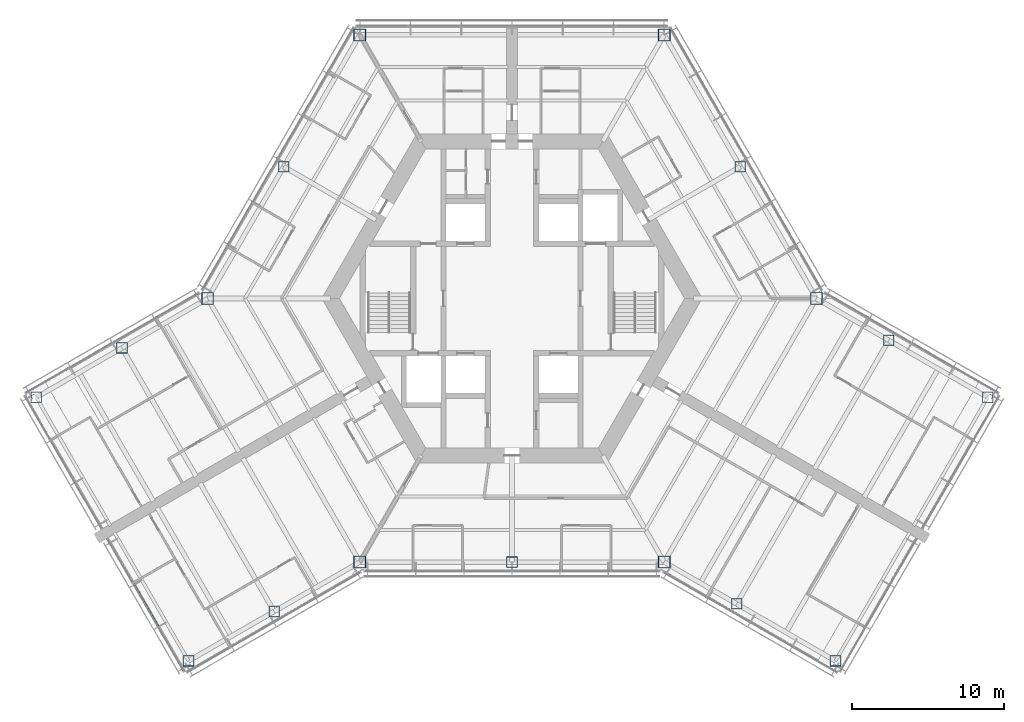
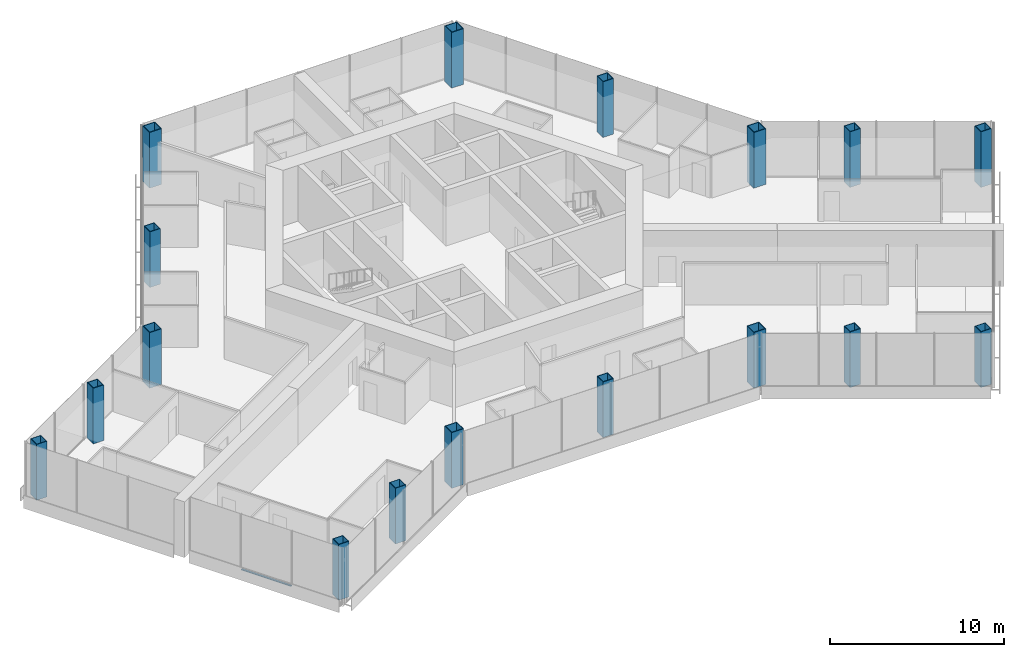
# One storey, part 1 of 18: 17 columns, 1 member, 1 element without a shape of its own.
"""IFC4 building model written with IfcOpenShell, lengths in metres."""

from ifc_helpers import new_model, si_unit, direction, frame, origin, origin_2d, place, context, subcontext, project, spatial, rectangle, hollow_rectangle, extrude, material, material_profile, profile_set, type_object, element, aggregate, save


model = new_model("IFC4")

# Units and contexts
model_context = context("Model", 3, precision=1e-05, world=origin(), true_north=direction((0.0, 1.0)))
body_context = subcontext(model_context, "Body", "Model", "MODEL_VIEW")
ifc_project = project(units=[si_unit("LENGTHUNIT", "METRE"), si_unit("AREAUNIT", "SQUARE_METRE"), si_unit("VOLUMEUNIT", "CUBIC_METRE"), si_unit("PLANEANGLEUNIT", "RADIAN"), si_unit("MASSUNIT", "GRAM", prefix="KILO")], contexts=[model_context])

# Site, building, storey
site_placement = place(None, origin())
site = spatial("IfcSite", under=ifc_project, at=site_placement, CompositionType="ELEMENT")
building_placement = place(site_placement, origin())
building = spatial("IfcBuilding", under=site, at=building_placement, Name="Kasaneha Research Tower", CompositionType="ELEMENT")
storey_placement = place(building_placement, frame((0.0, 0.0, 183.800048828125)))
storey = spatial("IfcBuildingStorey", under=building, at=storey_placement, Name="L46", CompositionType="ELEMENT", Elevation=183.800048828125)

# Columns
ifc_material_1 = material(Name="Steel SN490C", Category="steel")
ifc_material_profile_1 = material_profile(ifc_material_1, hollow_rectangle(XDim=0.800048828125, YDim=0.800048828125, WallThickness=0.044921875, at=origin_2d()), Name="BOX-800x800x45")
ifc_profile_set_1 = profile_set([ifc_material_profile_1], Name="Steel SN490C")
column_type_1 = type_object("IfcColumnType", Name="C3A column BOX-800x800x45", PredefinedType="COLUMN", material=ifc_profile_set_1)
for number, where, z_axis, x_axis, name in (
    (1, (20.0, 0.0, 0.0), (0.0, 0.0, 1.0), (1.0, 0.0, 0.0), "Column V0 L46"),
    (2, (10.0, 17.320556640625, 0.0), (0.0, 0.0, 1.0), (1.0, 0.0, 0.0), "Column V1 L46"),
    (3, (-10.0, 17.320556640625, 0.0), (0.0, 0.0, 1.0), (1.0, 0.0, 0.0), "Column V2 L46"),
    (4, (-20.0, 0.0, 0.0), (0.0, 0.0, 1.0), (1.0, 0.0, 0.0), "Column V3 L46"),
    (5, (-10.0, -17.320556640625, 0.0), (0.0, 0.0, 1.0), (1.0, 0.0, 0.0), "Column V4 L46"),
    (6, (10.0, -17.320556640625, 0.0), (0.0, 0.0, 1.0), (1.0, 0.0, 0.0), "Column V5 L46"),
):
    element("IfcColumn", number, at=place(storey_placement, frame(where, z_axis=z_axis, x_axis=x_axis)), inside=storey, type_object=column_type_1, Name=name, PredefinedType="COLUMN", context=body_context, shape_type="SweptSolid", body=[
        extrude(hollow_rectangle(XDim=0.800048828125, YDim=0.800048828125, WallThickness=0.044921875, at=origin_2d()), origin(), (0.0, 0.0, 1.0), 3.89990234375),
    ])
ifc_material_2 = material(Name="Steel SN490C", Category="steel")
ifc_material_profile_2 = material_profile(ifc_material_2, hollow_rectangle(XDim=0.699951171875, YDim=0.699951171875, WallThickness=0.035888671875, at=origin_2d()), Name="BOX-700x700x36")
ifc_profile_set_2 = profile_set([ifc_material_profile_2], Name="Steel SN490C")
column_type_2 = type_object("IfcColumnType", Name="C3B column BOX-700x700x36", PredefinedType="COLUMN", material=ifc_profile_set_2)
for number, where, z_axis, x_axis, name in (
    (7, (15.0, 8.66015625, 0.0), (0.0, 0.0, 1.0), (1.0, 0.0, 0.0), "Column M030 L46"),
    (8, (-15.0, 8.66015625, 0.0), (0.0, 0.0, 1.0), (1.0, 0.0, 0.0), "Column M150 L46"),
    (9, (0.0, -17.320556640625, 0.0), (0.0, 0.0, 1.0), (1.0, 0.0, 0.0), "Column M270 L46"),
    (10, (-25.629150390625, -3.25, 0.0), (0.0, 0.0, 1.0), (1.0, 0.0, 0.0), "Column BSP L46"),
    (11, (-31.25830078125, -6.5, 0.0), (0.0, 0.0, 1.0), (1.0, 0.0, 0.0), "Column BTP L46"),
    (12, (-15.629150390625, -20.570556640625, 0.0), (0.0, 0.0, 1.0), (1.0, 0.0, 0.0), "Column BSN L46"),
    (13, (-21.25830078125, -23.820556640625, 0.0), (0.0, 0.0, 1.0), (1.0, 0.0, 0.0), "Column BTN L46"),
    (14, (14.76318359375, -20.070556640625, 0.0), (0.0, 0.0, 1.0), (1.0, 0.0, 0.0), "Column CSP L46"),
    (15, (21.25830078125, -23.820556640625, 0.0), (0.0, 0.0, 1.0), (1.0, 0.0, 0.0), "Column CTP L46"),
    (16, (24.76318359375, -2.75, 0.0), (0.0, 0.0, 1.0), (1.0, 0.0, 0.0), "Column CSN L46"),
    (17, (31.25830078125, -6.5, 0.0), (0.0, 0.0, 1.0), (1.0, 0.0, 0.0), "Column CTN L46"),
):
    element("IfcColumn", number, at=place(storey_placement, frame(where, z_axis=z_axis, x_axis=x_axis)), inside=storey, type_object=column_type_2, Name=name, PredefinedType="COLUMN", context=body_context, shape_type="SweptSolid", body=[
        extrude(hollow_rectangle(XDim=0.699951171875, YDim=0.699951171875, WallThickness=0.035888671875, at=origin_2d()), origin(), (0.0, 0.0, 1.0), 3.89990234375),
    ])

# Curtain wall, member
ifc_material_3 = material(Name="Glass and aluminium", Category="aluminium")
curtain_wall_type = type_object("IfcCurtainWallType", Name="Mid-rise office curtain wall", PredefinedType="USERDEFINED", material=ifc_material_3)
curtain_wall_placement = place(storey_placement, origin())
curtain_wall = element("IfcCurtainWall", 18, at=curtain_wall_placement, inside=storey, type_object=curtain_wall_type, Name="CW-O2 L46 run 11a", ObjectType="UNITISED CURTAIN WALL", PredefinedType="USERDEFINED")
ifc_material_4 = material(Name="Aluminium 6063-T6", Category="aluminium")
ifc_material_profile_3 = material_profile(ifc_material_4, rectangle(XDim=0.110107421875, YDim=0.06005859375, at=origin_2d()), Name="CW-O2 transom 110x60")
ifc_profile_set_3 = profile_set([ifc_material_profile_3], Name="Aluminium 6063-T6")
member_type = type_object("IfcMemberType", Name="CW-O2 transom", PredefinedType="USERDEFINED", material=ifc_profile_set_3)
member_placement = place(storey_placement, frame((-24.896240234375, -18.719482421875, 0.030029296875), z_axis=(0.500010745865, -0.866019199568, 0.0), x_axis=(0.866019199568, 0.500010745865, 0.0)))
member = element("IfcMember", 19, at=member_placement, type_object=member_type, Name="CW-O2 transom 2", ObjectType="TRANSOM", PredefinedType="USERDEFINED", context=body_context, shape_type="SweptSolid", body=[
    extrude(rectangle(XDim=0.110107421875, YDim=0.06005859375, at=origin_2d()), origin(), (0.0, 0.0, 1.0), 3.3232421875),
])
aggregate(curtain_wall, [member])

save(model, "model.ifc")
